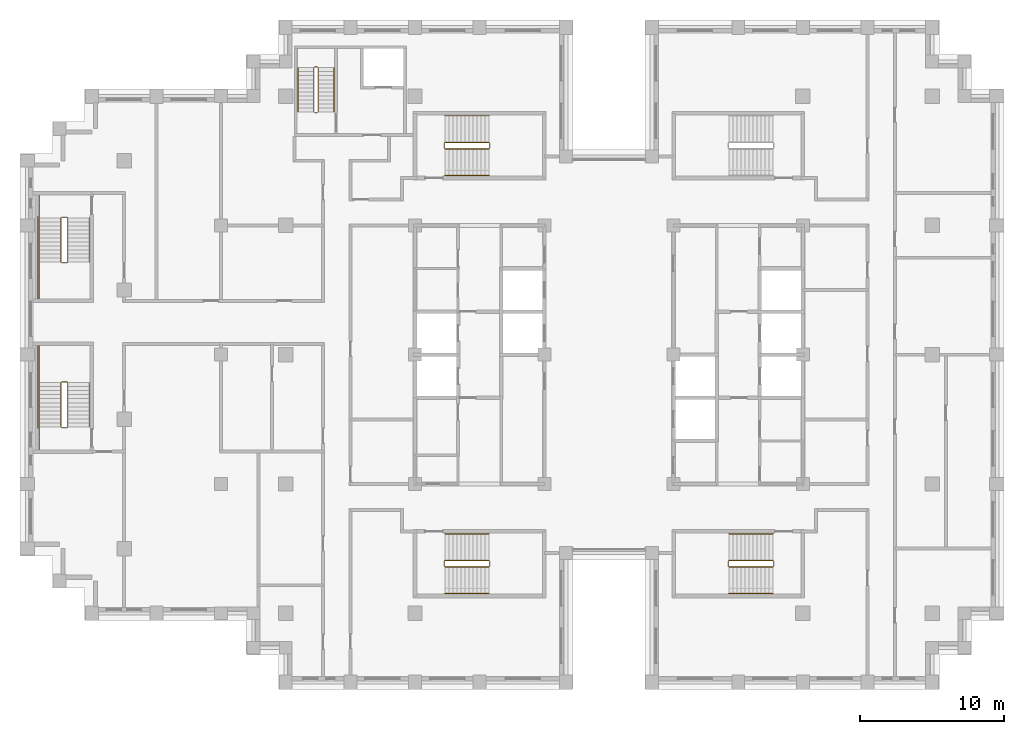
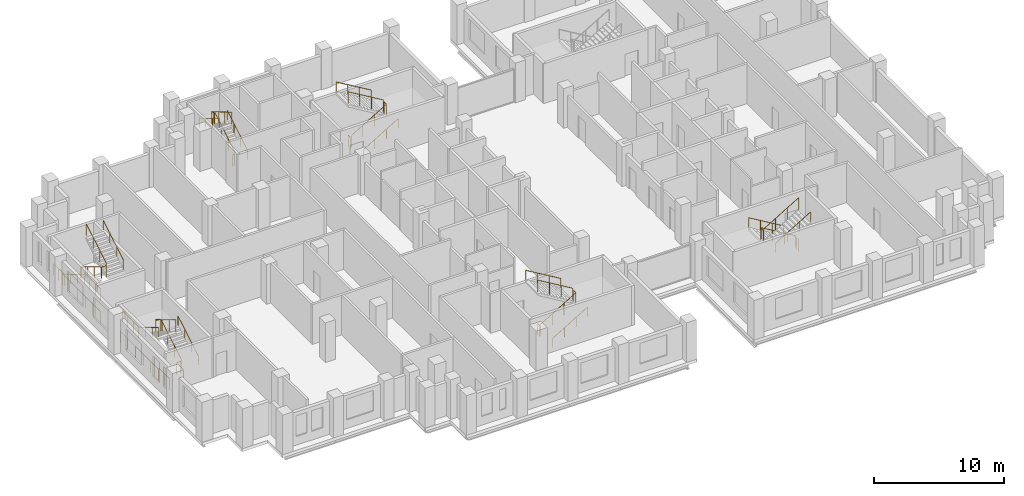
# One storey, part 14 of 15: 6 railings.
"""IFC4 building model written with IfcOpenShell, lengths in metres."""

import ifcopenshell
import ifcopenshell.guid

model = None  # the IFC model being written
_history = None  # IfcOwnerHistory: only IFC2X3 demands one
_inside = {}  # id of a spatial element -> (the spatial element, [elements in it])
_under = {}  # id of a project, library or spatial element -> (it, [spatial elements below it])
_declared = {}  # id of a project -> (the project, [libraries it declares])
_typed = {}  # id of a type object -> (the type object, [elements of that type])
_made_of = {}  # id of a material, layer set ... -> (it, [elements and type objects made of it])


def new_model(schema):
    """Start an empty IFC model of exactly this schema.

    Asked for "IFC4X3", IfcOpenShell would pick the latest addendum, in which some entities
    have other attributes; the version numbers below select the first issue.
    IFC2X3 requires an IfcOwnerHistory on every rooted entity: one is made here for all.
    """
    global model, _history
    if schema == "IFC4X3":
        model = ifcopenshell.file(schema_version=(4, 3, 0, 0))
    else:
        model = ifcopenshell.file(schema=schema)
    _inside.clear()
    _under.clear()
    _declared.clear()
    _typed.clear()
    _made_of.clear()
    _history = None
    if model.schema == "IFC2X3":
        org = make("IfcOrganization", Name="unknown")
        user = make(
            "IfcPersonAndOrganization",
            ThePerson=make("IfcPerson", FamilyName="unknown"),
            TheOrganization=org,
        )
        app = make(
            "IfcApplication",
            ApplicationDeveloper=org,
            Version="unknown",
            ApplicationFullName="unknown",
            ApplicationIdentifier="unknown",
        )
        _history = make(
            "IfcOwnerHistory",
            OwningUser=user,
            OwningApplication=app,
            ChangeAction="ADDED",
            CreationDate=0,
        )
    return model


def make(cls, **values):
    """One entity of the class cls with the attributes given. An attribute that is None is left unset."""
    return model.create_entity(
        cls, **{name: value for name, value in values.items() if value is not None}
    )


def rooted(cls, **values):
    """An entity with a GlobalId (a new one), such as an element, a storey or a relation."""
    return make(cls, GlobalId=ifcopenshell.guid.new(), OwnerHistory=_history, **values)


def si_unit(unit_type, name, prefix=None):
    """IfcSIUnit, for example si_unit("LENGTHUNIT", "METRE", prefix="MILLI")."""
    return make("IfcSIUnit", UnitType=unit_type, Prefix=prefix, Name=name)


def assignment(units):
    """IfcUnitAssignment: the units of a project."""
    return None if units is None else make("IfcUnitAssignment", Units=units)


def point(xyz):
    """IfcCartesianPoint."""
    return None if xyz is None else make("IfcCartesianPoint", Coordinates=xyz)


def direction(xyz):
    """IfcDirection."""
    return None if xyz is None else make("IfcDirection", DirectionRatios=xyz)


def frame(location, z_axis=None, x_axis=None):
    """IfcAxis2Placement3D, a coordinate frame: its origin and axes. An axis left out is left unset."""
    return make(
        "IfcAxis2Placement3D",
        Location=point(location),
        Axis=direction(z_axis),
        RefDirection=direction(x_axis),
    )


def frame_2d(location, x_axis=None):
    """IfcAxis2Placement2D, a coordinate frame in the plane: its origin and x axis."""
    return make(
        "IfcAxis2Placement2D", Location=point(location), RefDirection=direction(x_axis)
    )


def origin():
    """The frame at (0, 0, 0) with its axes left unset."""
    return frame((0.0, 0.0, 0.0))


def origin_2d():
    """The frame at (0, 0) in the plane with its x axis left unset."""
    return frame_2d((0.0, 0.0))


def place(relative_to, where):
    """IfcLocalPlacement: puts the frame where relative to a parent placement (None: the world)."""
    return make(
        "IfcLocalPlacement", PlacementRelTo=relative_to, RelativePlacement=where
    )


def context(
    kind, dimensions, precision=None, world=None, true_north=None, identifier=None
):
    """IfcGeometricRepresentationContext, for example the 3D "Model" context."""
    return make(
        "IfcGeometricRepresentationContext",
        ContextIdentifier=identifier,
        ContextType=kind,
        CoordinateSpaceDimension=dimensions,
        Precision=precision,
        WorldCoordinateSystem=world,
        TrueNorth=true_north,
    )


def subcontext(parent, identifier, kind, view, scale=None):
    """IfcGeometricRepresentationSubContext, for example "Body" below "Model"."""
    return make(
        "IfcGeometricRepresentationSubContext",
        ContextIdentifier=identifier,
        ContextType=kind,
        ParentContext=parent,
        TargetScale=scale,
        TargetView=view,
    )


def project(units=None, contexts=None):
    """IfcProject with its units and contexts."""
    return rooted(
        "IfcProject",
        Name="project",
        RepresentationContexts=contexts,
        UnitsInContext=assignment(units),
    )


def spatial(cls, under=None, at=None, **own):
    """A site, building, storey or space (cls), placed at a placement, below another one or the project."""
    s = rooted(cls, ObjectPlacement=at, **own)
    if under is not None:
        _under.setdefault(under.id(), (under, []))[1].append(s)
    return s


def profile(cls, at=None, kind="AREA", **sizes):
    """A parametric profile (cls). Its sizes go by their IFC names, for example OverallWidth=200.0."""
    return make(cls, ProfileType=kind, Position=at, **sizes)


def circle(**sizes):
    """IfcCircleProfileDef."""
    return profile("IfcCircleProfileDef", **sizes)


def extrude(swept, where, along, depth):
    """IfcExtrudedAreaSolid: the profile swept, set in the frame where, extruded along a direction by depth."""
    return make(
        "IfcExtrudedAreaSolid",
        SweptArea=swept,
        Position=where,
        ExtrudedDirection=direction(along),
        Depth=depth,
    )


def shape(context_of_items, identifier, shape_type, items):
    """IfcShapeRepresentation: the items that make up one representation, for example the "Body"."""
    return make(
        "IfcShapeRepresentation",
        ContextOfItems=context_of_items,
        RepresentationIdentifier=identifier,
        RepresentationType=shape_type,
        Items=items,
    )


def material(Name=None, Category=None):
    """IfcMaterial."""
    return make("IfcMaterial", Name=Name, Category=Category)


def made_of(thing, what):
    """Note that an element or type object is made of a material, layer set ...; save() writes the relation."""
    if what is not None:
        _made_of.setdefault(what.id(), (what, []))[1].append(thing)
    return thing


def type_object(cls, material=None, **own):
    """A type object (cls), such as IfcWallType, which elements share."""
    return made_of(rooted(cls, **own), material)


def element(
    cls,
    number,
    at=None,
    inside=None,
    cuts=None,
    type_object=None,
    material=None,
    context=None,
    identifier="Body",
    shape_type=None,
    held_by="IfcProductDefinitionShape",
    body=None,
    shapes=None,
    **own,
):
    """One element of the class cls, such as IfcWall. Its Tag is "e" and its number.

    at: its placement. inside: the storey or other place that contains it. cuts: it is an
    opening in that element (IfcRelVoidsElement). A single representation is given by context,
    identifier, shape_type and body (its items); several are given by shapes. held_by: the class
    of the entity that holds the representations. save() writes the other relations.
    """
    e = rooted(cls, Tag="e%d" % number, ObjectPlacement=at, **own)
    if body is not None:
        shapes = [shape(context, identifier, shape_type, body)]
    if shapes is not None:
        e.Representation = make(held_by, Representations=shapes)
    if inside is not None:
        _inside.setdefault(inside.id(), (inside, []))[1].append(e)
    if cuts is not None:
        rooted(
            "IfcRelVoidsElement", RelatingBuildingElement=cuts, RelatedOpeningElement=e
        )
    if type_object is not None:
        _typed.setdefault(type_object.id(), (type_object, []))[1].append(e)
    return made_of(e, material)


def aggregate(whole, parts):
    """IfcRelAggregates: a whole, such as a stair, and the parts it consists of."""
    return rooted("IfcRelAggregates", RelatingObject=whole, RelatedObjects=parts)


def save(model, path):
    """Write the relations noted so far, then the file.

    IfcRelAggregates (storeys below a building ...), IfcRelContainedInSpatialStructure (elements
    in a storey), IfcRelDefinesByType, IfcRelAssociatesMaterial and IfcRelDeclares: one each for
    every whole, place, type object, material and project.
    """
    for whole, parts in _under.values():
        aggregate(whole, parts)
    for where, things in _inside.values():
        rooted(
            "IfcRelContainedInSpatialStructure",
            RelatedElements=things,
            RelatingStructure=where,
        )
    for kind, things in _typed.values():
        rooted("IfcRelDefinesByType", RelatedObjects=things, RelatingType=kind)
    for what, things in _made_of.values():
        rooted("IfcRelAssociatesMaterial", RelatedObjects=things, RelatingMaterial=what)
    for by, libraries in _declared.values():
        rooted("IfcRelDeclares", RelatingContext=by, RelatedDefinitions=libraries)
    model.write(path)


model = new_model("IFC4")

# Units and contexts
model_context = context("Model", 3, precision=1e-05, world=origin(), true_north=direction((0.0, 1.0)))
body_context = subcontext(model_context, "Body", "Model", "MODEL_VIEW")
ifc_project = project(units=[si_unit("LENGTHUNIT", "METRE"), si_unit("AREAUNIT", "SQUARE_METRE"), si_unit("VOLUMEUNIT", "CUBIC_METRE"), si_unit("PLANEANGLEUNIT", "RADIAN"), si_unit("MASSUNIT", "GRAM", prefix="KILO")], contexts=[model_context])

# Site, building, storey
site_placement = place(None, origin())
site = spatial("IfcSite", under=ifc_project, at=site_placement, CompositionType="ELEMENT")
building_placement = place(site_placement, origin())
building = spatial("IfcBuilding", under=site, at=building_placement, Name="Corbelhall Arena Tower", CompositionType="ELEMENT")
storey_placement = place(building_placement, frame((0.0, 0.0, 188.0)))
storey = spatial("IfcBuildingStorey", under=building, at=storey_placement, Name="L38", CompositionType="ELEMENT", Elevation=188.0)

# Railings
ifc_material = material(Name="Steel ASTM A500 Gr C", Category="steel")
railing_type = type_object("IfcRailingType", Name="IN-GD-1100", PredefinedType="GUARDRAIL", material=ifc_material)
railing_1_placement = place(storey_placement, frame((-11.425048828125, 14.324951171875, 0.166748046875)))
element("IfcRailing", 1, at=railing_1_placement, inside=storey, type_object=railing_type, Name="L38 ST1 stair guards and handrails", PredefinedType="GUARDRAIL", context=body_context, shape_type="SweptSolid", body=[
    extrude(circle(Radius=0.02392578125, at=origin_2d()), frame((0.0, 0.0, 1.076171875), z_axis=(0.859308565015, 0.0, 0.511457515432), x_axis=(0.0, 1.0, 0.0)), (0.0, 0.0, 1.0), 3.58447265625),
    extrude(circle(Radius=0.02392578125, at=origin_2d()), frame((3.130126953125, 0.050048828125, 2.9091796875), z_axis=(0.0, 1.0, 0.0), x_axis=(-1.0, 0.0, 0.0)), (0.0, 0.0, 1.0), 0.35009765625),
    extrude(circle(Radius=0.02392578125, at=origin_2d()), frame((3.080078125, 0.449951171875, 3.076171875), z_axis=(-0.859308565015, 0.0, 0.511457515432), x_axis=(0.0, -1.0, 0.0)), (0.0, 0.0, 1.0), 3.58447265625),
    extrude(circle(Radius=0.02392578125, at=origin_2d()), frame((-0.050048828125, 0.050048828125, 0.9091796875), z_axis=(0.0, 1.0, 0.0), x_axis=(-1.0, 0.0, 0.0)), (0.0, 0.0, 1.0), 0.35009765625),
    extrude(circle(Radius=0.02392578125, at=origin_2d()), frame((0.0, -1.849853515625, 0.8759765625), z_axis=(0.859308565015, 0.0, 0.511457515432), x_axis=(0.0, 1.0, 0.0)), (0.0, 0.0, 1.0), 3.58447265625),
    extrude(circle(Radius=0.02392578125, at=origin_2d()), frame((3.080078125, 2.300048828125, 2.8759765625), z_axis=(-0.859308565015, 0.0, 0.511457515432), x_axis=(0.0, -1.0, 0.0)), (0.0, 0.0, 1.0), 3.58447265625),
    extrude(circle(Radius=0.02099609375, at=origin_2d()), origin(), (0.0, 0.0, 1.0), 1.052001953125),
    extrude(circle(Radius=0.02099609375, at=origin_2d()), frame((1.026611328125, 0.0, 0.611083984375)), (0.0, 0.0, 1.0), 1.052001953125),
    extrude(circle(Radius=0.02099609375, at=origin_2d()), frame((2.053466796875, 0.0, 1.22216796875)), (0.0, 0.0, 1.0), 1.052001953125),
    extrude(circle(Radius=0.02099609375, at=origin_2d()), frame((3.080078125, 0.0, 1.833251953125)), (0.0, 0.0, 1.0), 1.052001953125),
    extrude(circle(Radius=0.02099609375, at=origin_2d()), frame((3.130126953125, 0.050048828125, 1.833251953125)), (0.0, 0.0, 1.0), 1.052001953125),
    extrude(circle(Radius=0.02099609375, at=origin_2d()), frame((3.130126953125, 0.400146484375, 1.833251953125)), (0.0, 0.0, 1.0), 1.052001953125),
    extrude(circle(Radius=0.02099609375, at=origin_2d()), frame((3.080078125, 0.449951171875, 2.0)), (0.0, 0.0, 1.0), 1.052001953125),
    extrude(circle(Radius=0.02099609375, at=origin_2d()), frame((2.053466796875, 0.449951171875, 2.611083984375)), (0.0, 0.0, 1.0), 1.052001953125),
    extrude(circle(Radius=0.02099609375, at=origin_2d()), frame((1.026611328125, 0.449951171875, 3.22216796875)), (0.0, 0.0, 1.0), 1.052001953125),
    extrude(circle(Radius=0.02099609375, at=origin_2d()), frame((0.0, 0.449951171875, 3.833251953125)), (0.0, 0.0, 1.0), 1.052001953125),
    extrude(circle(Radius=0.02099609375, at=origin_2d()), frame((-0.050048828125, 0.050048828125, -0.166748046875)), (0.0, 0.0, 1.0), 1.052001953125),
    extrude(circle(Radius=0.02099609375, at=origin_2d()), frame((-0.050048828125, 0.400146484375, -0.166748046875)), (0.0, 0.0, 1.0), 1.052001953125),
    extrude(circle(Radius=0.02099609375, at=origin_2d()), frame((0.0, -1.849853515625, 0.0)), (0.0, 0.0, 1.0), 0.851806640625),
    extrude(circle(Radius=0.02099609375, at=origin_2d()), frame((1.026611328125, -1.849853515625, 0.611083984375)), (0.0, 0.0, 1.0), 0.851806640625),
    extrude(circle(Radius=0.02099609375, at=origin_2d()), frame((2.053466796875, -1.849853515625, 1.22216796875)), (0.0, 0.0, 1.0), 0.851806640625),
    extrude(circle(Radius=0.02099609375, at=origin_2d()), frame((3.080078125, -1.849853515625, 1.833251953125)), (0.0, 0.0, 1.0), 0.851806640625),
    extrude(circle(Radius=0.02099609375, at=origin_2d()), frame((3.080078125, 2.300048828125, 2.0)), (0.0, 0.0, 1.0), 0.851806640625),
    extrude(circle(Radius=0.02099609375, at=origin_2d()), frame((2.053466796875, 2.300048828125, 2.611083984375)), (0.0, 0.0, 1.0), 0.851806640625),
    extrude(circle(Radius=0.02099609375, at=origin_2d()), frame((1.026611328125, 2.300048828125, 3.22216796875)), (0.0, 0.0, 1.0), 0.851806640625),
    extrude(circle(Radius=0.02099609375, at=origin_2d()), frame((0.0, 2.300048828125, 3.833251953125)), (0.0, 0.0, 1.0), 0.851806640625),
])
railing_2_placement = place(storey_placement, frame((-11.425048828125, -14.77490234375, 0.166748046875)))
element("IfcRailing", 2, at=railing_2_placement, inside=storey, type_object=railing_type, Name="L38 ST2 stair guards and handrails", PredefinedType="GUARDRAIL", context=body_context, shape_type="SweptSolid", body=[
    extrude(circle(Radius=0.02392578125, at=origin_2d()), frame((0.0, 0.0, 1.076171875), z_axis=(0.859308565015, 0.0, 0.511457515432), x_axis=(0.0, 1.0, 0.0)), (0.0, 0.0, 1.0), 3.58447265625),
    extrude(circle(Radius=0.02392578125, at=origin_2d()), frame((3.130126953125, 0.0498046875, 2.9091796875), z_axis=(0.0, 1.0, 0.0), x_axis=(-1.0, 0.0, 0.0)), (0.0, 0.0, 1.0), 0.35009765625),
    extrude(circle(Radius=0.02392578125, at=origin_2d()), frame((3.080078125, 0.449951171875, 3.076171875), z_axis=(-0.859308565015, 0.0, 0.511457515432), x_axis=(0.0, -1.0, 0.0)), (0.0, 0.0, 1.0), 3.58447265625),
    extrude(circle(Radius=0.02392578125, at=origin_2d()), frame((-0.050048828125, 0.0498046875, 0.9091796875), z_axis=(0.0, 1.0, 0.0), x_axis=(-1.0, 0.0, 0.0)), (0.0, 0.0, 1.0), 0.35009765625),
    extrude(circle(Radius=0.02392578125, at=origin_2d()), frame((0.0, -1.85009765625, 0.8759765625), z_axis=(0.859308565015, 0.0, 0.511457515432), x_axis=(0.0, 1.0, 0.0)), (0.0, 0.0, 1.0), 3.58447265625),
    extrude(circle(Radius=0.02392578125, at=origin_2d()), frame((3.080078125, 2.2998046875, 2.8759765625), z_axis=(-0.859308565015, 0.0, 0.511457515432), x_axis=(0.0, -1.0, 0.0)), (0.0, 0.0, 1.0), 3.58447265625),
    extrude(circle(Radius=0.02099609375, at=origin_2d()), origin(), (0.0, 0.0, 1.0), 1.052001953125),
    extrude(circle(Radius=0.02099609375, at=origin_2d()), frame((1.026611328125, 0.0, 0.611083984375)), (0.0, 0.0, 1.0), 1.052001953125),
    extrude(circle(Radius=0.02099609375, at=origin_2d()), frame((2.053466796875, 0.0, 1.22216796875)), (0.0, 0.0, 1.0), 1.052001953125),
    extrude(circle(Radius=0.02099609375, at=origin_2d()), frame((3.080078125, 0.0, 1.833251953125)), (0.0, 0.0, 1.0), 1.052001953125),
    extrude(circle(Radius=0.02099609375, at=origin_2d()), frame((3.130126953125, 0.0498046875, 1.833251953125)), (0.0, 0.0, 1.0), 1.052001953125),
    extrude(circle(Radius=0.02099609375, at=origin_2d()), frame((3.130126953125, 0.39990234375, 1.833251953125)), (0.0, 0.0, 1.0), 1.052001953125),
    extrude(circle(Radius=0.02099609375, at=origin_2d()), frame((3.080078125, 0.449951171875, 2.0)), (0.0, 0.0, 1.0), 1.052001953125),
    extrude(circle(Radius=0.02099609375, at=origin_2d()), frame((2.053466796875, 0.449951171875, 2.611083984375)), (0.0, 0.0, 1.0), 1.052001953125),
    extrude(circle(Radius=0.02099609375, at=origin_2d()), frame((1.026611328125, 0.449951171875, 3.22216796875)), (0.0, 0.0, 1.0), 1.052001953125),
    extrude(circle(Radius=0.02099609375, at=origin_2d()), frame((0.0, 0.449951171875, 3.833251953125)), (0.0, 0.0, 1.0), 1.052001953125),
    extrude(circle(Radius=0.02099609375, at=origin_2d()), frame((-0.050048828125, 0.0498046875, -0.166748046875)), (0.0, 0.0, 1.0), 1.052001953125),
    extrude(circle(Radius=0.02099609375, at=origin_2d()), frame((-0.050048828125, 0.39990234375, -0.166748046875)), (0.0, 0.0, 1.0), 1.052001953125),
    extrude(circle(Radius=0.02099609375, at=origin_2d()), frame((0.0, -1.85009765625, 0.0)), (0.0, 0.0, 1.0), 0.851806640625),
    extrude(circle(Radius=0.02099609375, at=origin_2d()), frame((1.026611328125, -1.85009765625, 0.611083984375)), (0.0, 0.0, 1.0), 0.851806640625),
    extrude(circle(Radius=0.02099609375, at=origin_2d()), frame((2.053466796875, -1.85009765625, 1.22216796875)), (0.0, 0.0, 1.0), 0.851806640625),
    extrude(circle(Radius=0.02099609375, at=origin_2d()), frame((3.080078125, -1.85009765625, 1.833251953125)), (0.0, 0.0, 1.0), 0.851806640625),
    extrude(circle(Radius=0.02099609375, at=origin_2d()), frame((3.080078125, 2.2998046875, 2.0)), (0.0, 0.0, 1.0), 0.851806640625),
    extrude(circle(Radius=0.02099609375, at=origin_2d()), frame((2.053466796875, 2.2998046875, 2.611083984375)), (0.0, 0.0, 1.0), 0.851806640625),
    extrude(circle(Radius=0.02099609375, at=origin_2d()), frame((1.026611328125, 2.2998046875, 3.22216796875)), (0.0, 0.0, 1.0), 0.851806640625),
    extrude(circle(Radius=0.02099609375, at=origin_2d()), frame((0.0, 2.2998046875, 3.833251953125)), (0.0, 0.0, 1.0), 0.851806640625),
])
railing_3_placement = place(storey_placement, frame((11.425048828125, -14.324951171875, 0.166748046875)))
element("IfcRailing", 3, at=railing_3_placement, inside=storey, type_object=railing_type, Name="L38 ST4 stair guards and handrails", PredefinedType="GUARDRAIL", context=body_context, shape_type="SweptSolid", body=[
    extrude(circle(Radius=0.02392578125, at=origin_2d()), frame((0.0, 0.0, 1.076171875), z_axis=(-0.859308565015, 0.0, 0.511457515432), x_axis=(0.0, -1.0, 0.0)), (0.0, 0.0, 1.0), 3.58447265625),
    extrude(circle(Radius=0.02392578125, at=origin_2d()), frame((-3.130126953125, -0.050048828125, 2.9091796875), z_axis=(0.0, -1.0, 0.0), x_axis=(1.0, 0.0, 0.0)), (0.0, 0.0, 1.0), 0.35009765625),
    extrude(circle(Radius=0.02392578125, at=origin_2d()), frame((-3.080078125, -0.449951171875, 3.076171875), z_axis=(0.859308565015, 0.0, 0.511457515432), x_axis=(0.0, 1.0, 0.0)), (0.0, 0.0, 1.0), 3.58447265625),
    extrude(circle(Radius=0.02392578125, at=origin_2d()), frame((0.050048828125, -0.050048828125, 0.9091796875), z_axis=(0.0, -1.0, 0.0), x_axis=(1.0, 0.0, 0.0)), (0.0, 0.0, 1.0), 0.35009765625),
    extrude(circle(Radius=0.02392578125, at=origin_2d()), frame((0.0, 1.849853515625, 0.8759765625), z_axis=(-0.859308565015, 0.0, 0.511457515432), x_axis=(0.0, -1.0, 0.0)), (0.0, 0.0, 1.0), 3.58447265625),
    extrude(circle(Radius=0.02392578125, at=origin_2d()), frame((-3.080078125, -2.300048828125, 2.8759765625), z_axis=(0.859308565015, 0.0, 0.511457515432), x_axis=(0.0, 1.0, 0.0)), (0.0, 0.0, 1.0), 3.58447265625),
    extrude(circle(Radius=0.02099609375, at=origin_2d()), origin(), (0.0, 0.0, 1.0), 1.052001953125),
    extrude(circle(Radius=0.02099609375, at=origin_2d()), frame((-1.026611328125, 0.0, 0.611083984375)), (0.0, 0.0, 1.0), 1.052001953125),
    extrude(circle(Radius=0.02099609375, at=origin_2d()), frame((-2.053466796875, 0.0, 1.22216796875)), (0.0, 0.0, 1.0), 1.052001953125),
    extrude(circle(Radius=0.02099609375, at=origin_2d()), frame((-3.080078125, 0.0, 1.833251953125)), (0.0, 0.0, 1.0), 1.052001953125),
    extrude(circle(Radius=0.02099609375, at=origin_2d()), frame((-3.130126953125, -0.050048828125, 1.833251953125)), (0.0, 0.0, 1.0), 1.052001953125),
    extrude(circle(Radius=0.02099609375, at=origin_2d()), frame((-3.130126953125, -0.400146484375, 1.833251953125)), (0.0, 0.0, 1.0), 1.052001953125),
    extrude(circle(Radius=0.02099609375, at=origin_2d()), frame((-3.080078125, -0.449951171875, 2.0)), (0.0, 0.0, 1.0), 1.052001953125),
    extrude(circle(Radius=0.02099609375, at=origin_2d()), frame((-2.053466796875, -0.449951171875, 2.611083984375)), (0.0, 0.0, 1.0), 1.052001953125),
    extrude(circle(Radius=0.02099609375, at=origin_2d()), frame((-1.026611328125, -0.449951171875, 3.22216796875)), (0.0, 0.0, 1.0), 1.052001953125),
    extrude(circle(Radius=0.02099609375, at=origin_2d()), frame((0.0, -0.449951171875, 3.833251953125)), (0.0, 0.0, 1.0), 1.052001953125),
    extrude(circle(Radius=0.02099609375, at=origin_2d()), frame((0.050048828125, -0.050048828125, -0.166748046875)), (0.0, 0.0, 1.0), 1.052001953125),
    extrude(circle(Radius=0.02099609375, at=origin_2d()), frame((0.050048828125, -0.400146484375, -0.166748046875)), (0.0, 0.0, 1.0), 1.052001953125),
    extrude(circle(Radius=0.02099609375, at=origin_2d()), frame((0.0, 1.849853515625, 0.0)), (0.0, 0.0, 1.0), 0.851806640625),
    extrude(circle(Radius=0.02099609375, at=origin_2d()), frame((-1.026611328125, 1.849853515625, 0.611083984375)), (0.0, 0.0, 1.0), 0.851806640625),
    extrude(circle(Radius=0.02099609375, at=origin_2d()), frame((-2.053466796875, 1.849853515625, 1.22216796875)), (0.0, 0.0, 1.0), 0.851806640625),
    extrude(circle(Radius=0.02099609375, at=origin_2d()), frame((-3.080078125, 1.849853515625, 1.833251953125)), (0.0, 0.0, 1.0), 0.851806640625),
    extrude(circle(Radius=0.02099609375, at=origin_2d()), frame((-3.080078125, -2.300048828125, 2.0)), (0.0, 0.0, 1.0), 0.851806640625),
    extrude(circle(Radius=0.02099609375, at=origin_2d()), frame((-2.053466796875, -2.300048828125, 2.611083984375)), (0.0, 0.0, 1.0), 0.851806640625),
    extrude(circle(Radius=0.02099609375, at=origin_2d()), frame((-1.026611328125, -2.300048828125, 3.22216796875)), (0.0, 0.0, 1.0), 0.851806640625),
    extrude(circle(Radius=0.02099609375, at=origin_2d()), frame((0.0, -2.300048828125, 3.833251953125)), (0.0, 0.0, 1.0), 0.851806640625),
])
railing_4_placement = place(storey_placement, frame((-38.14990234375, 9.52490234375, 0.166748046875)))
element("IfcRailing", 4, at=railing_4_placement, inside=storey, type_object=railing_type, Name="L38 SC1 stair guards and handrails", PredefinedType="GUARDRAIL", context=body_context, shape_type="SweptSolid", body=[
    extrude(circle(Radius=0.02392578125, at=origin_2d()), frame((0.0, 0.0, 1.076171875), z_axis=(0.0, -0.859290745958, 0.51148745235), x_axis=(1.0, 0.0, 0.0)), (0.0, 0.0, 1.0), 3.584228515625),
    extrude(circle(Radius=0.02392578125, at=origin_2d()), frame((0.0498046875, -3.1298828125, 2.9091796875), z_axis=(1.0, 0.0, 0.0), x_axis=(0.0, 1.0, 0.0)), (0.0, 0.0, 1.0), 0.375),
    extrude(circle(Radius=0.02392578125, at=origin_2d()), frame((-1.5, -3.079833984375, 2.9091796875), z_axis=(0.0, -1.0, 0.0), x_axis=(1.0, 0.0, 0.0)), (0.0, 0.0, 1.0), 2.570068359375),
    extrude(circle(Radius=0.02392578125, at=origin_2d()), frame((0.474853515625, -3.079833984375, 3.076171875), z_axis=(0.0, 0.859290745958, 0.51148745235), x_axis=(-1.0, 0.0, 0.0)), (0.0, 0.0, 1.0), 3.584228515625),
    extrude(circle(Radius=0.02392578125, at=origin_2d()), frame((0.0498046875, 0.050048828125, 0.9091796875), z_axis=(1.0, 0.0, 0.0), x_axis=(0.0, 1.0, 0.0)), (0.0, 0.0, 1.0), 0.375),
    extrude(circle(Radius=0.02392578125, at=origin_2d()), frame((-1.5, 1.60009765625, 0.9091796875), z_axis=(0.0, -1.0, 0.0), x_axis=(1.0, 0.0, 0.0)), (0.0, 0.0, 1.0), 1.60009765625),
    extrude(circle(Radius=0.02392578125, at=origin_2d()), frame((-1.60009765625, 0.10009765625, 0.9091796875), z_axis=(0.0, -1.0, 0.0), x_axis=(1.0, 0.0, 0.0)), (0.0, 0.0, 1.0), 5.85009765625),
    extrude(circle(Radius=0.02392578125, at=origin_2d()), frame((-1.5, 0.0, 0.8759765625), z_axis=(0.0, -0.859290745958, 0.51148745235), x_axis=(1.0, 0.0, 0.0)), (0.0, 0.0, 1.0), 3.584228515625),
    extrude(circle(Radius=0.02392578125, at=origin_2d()), frame((1.974853515625, -3.079833984375, 2.8759765625), z_axis=(0.0, 0.859290745958, 0.51148745235), x_axis=(-1.0, 0.0, 0.0)), (0.0, 0.0, 1.0), 3.584228515625),
    extrude(circle(Radius=0.02099609375, at=origin_2d()), origin(), (0.0, 0.0, 1.0), 1.052001953125),
    extrude(circle(Radius=0.02099609375, at=origin_2d()), frame((0.0, -1.026611328125, 0.611083984375)), (0.0, 0.0, 1.0), 1.052001953125),
    extrude(circle(Radius=0.02099609375, at=origin_2d()), frame((0.0, -2.05322265625, 1.22216796875)), (0.0, 0.0, 1.0), 1.052001953125),
    extrude(circle(Radius=0.02099609375, at=origin_2d()), frame((0.0, -3.079833984375, 1.833251953125)), (0.0, 0.0, 1.0), 1.052001953125),
    extrude(circle(Radius=0.02099609375, at=origin_2d()), frame((0.0498046875, -3.1298828125, 1.833251953125)), (0.0, 0.0, 1.0), 1.052001953125),
    extrude(circle(Radius=0.02099609375, at=origin_2d()), frame((0.4248046875, -3.1298828125, 1.833251953125)), (0.0, 0.0, 1.0), 1.052001953125),
    extrude(circle(Radius=0.02099609375, at=origin_2d()), frame((-1.5, -3.079833984375, 1.833251953125)), (0.0, 0.0, 1.0), 1.052001953125),
    extrude(circle(Radius=0.02099609375, at=origin_2d()), frame((-1.5, -3.9365234375, 1.833251953125)), (0.0, 0.0, 1.0), 1.052001953125),
    extrude(circle(Radius=0.02099609375, at=origin_2d()), frame((-1.5, -4.793212890625, 1.833251953125)), (0.0, 0.0, 1.0), 1.052001953125),
    extrude(circle(Radius=0.02099609375, at=origin_2d()), frame((-1.5, -5.64990234375, 1.833251953125)), (0.0, 0.0, 1.0), 1.052001953125),
    extrude(circle(Radius=0.02099609375, at=origin_2d()), frame((0.474853515625, -3.079833984375, 2.0)), (0.0, 0.0, 1.0), 1.052001953125),
    extrude(circle(Radius=0.02099609375, at=origin_2d()), frame((0.474853515625, -2.05322265625, 2.611083984375)), (0.0, 0.0, 1.0), 1.052001953125),
    extrude(circle(Radius=0.02099609375, at=origin_2d()), frame((0.474853515625, -1.026611328125, 3.22216796875)), (0.0, 0.0, 1.0), 1.052001953125),
    extrude(circle(Radius=0.02099609375, at=origin_2d()), frame((0.474853515625, 0.0, 3.833251953125)), (0.0, 0.0, 1.0), 1.052001953125),
    extrude(circle(Radius=0.02099609375, at=origin_2d()), frame((0.0498046875, 0.050048828125, -0.166748046875)), (0.0, 0.0, 1.0), 1.052001953125),
    extrude(circle(Radius=0.02099609375, at=origin_2d()), frame((0.4248046875, 0.050048828125, -0.166748046875)), (0.0, 0.0, 1.0), 1.052001953125),
    extrude(circle(Radius=0.02099609375, at=origin_2d()), frame((-1.5, 1.60009765625, -0.166748046875)), (0.0, 0.0, 1.0), 1.052001953125),
    extrude(circle(Radius=0.02099609375, at=origin_2d()), frame((-1.5, 0.800048828125, -0.166748046875)), (0.0, 0.0, 1.0), 1.052001953125),
    extrude(circle(Radius=0.02099609375, at=origin_2d()), frame((-1.5, 0.0, -0.166748046875)), (0.0, 0.0, 1.0), 1.052001953125),
    extrude(circle(Radius=0.02099609375, at=origin_2d()), frame((-1.60009765625, 0.10009765625, -0.166748046875)), (0.0, 0.0, 1.0), 1.052001953125),
    extrude(circle(Radius=0.02099609375, at=origin_2d()), frame((-1.60009765625, -1.06982421875, -0.166748046875)), (0.0, 0.0, 1.0), 1.052001953125),
    extrude(circle(Radius=0.02099609375, at=origin_2d()), frame((-1.60009765625, -2.239990234375, -0.166748046875)), (0.0, 0.0, 1.0), 1.052001953125),
    extrude(circle(Radius=0.02099609375, at=origin_2d()), frame((-1.60009765625, -3.409912109375, -0.166748046875)), (0.0, 0.0, 1.0), 1.052001953125),
    extrude(circle(Radius=0.02099609375, at=origin_2d()), frame((-1.60009765625, -4.580078125, -0.166748046875)), (0.0, 0.0, 1.0), 1.052001953125),
    extrude(circle(Radius=0.02099609375, at=origin_2d()), frame((-1.60009765625, -5.75, -0.166748046875)), (0.0, 0.0, 1.0), 1.052001953125),
    extrude(circle(Radius=0.02099609375, at=origin_2d()), frame((-1.5, 0.0, 0.0)), (0.0, 0.0, 1.0), 0.851806640625),
    extrude(circle(Radius=0.02099609375, at=origin_2d()), frame((-1.5, -1.026611328125, 0.611083984375)), (0.0, 0.0, 1.0), 0.851806640625),
    extrude(circle(Radius=0.02099609375, at=origin_2d()), frame((-1.5, -2.05322265625, 1.22216796875)), (0.0, 0.0, 1.0), 0.851806640625),
    extrude(circle(Radius=0.02099609375, at=origin_2d()), frame((1.974853515625, -3.079833984375, 2.0)), (0.0, 0.0, 1.0), 0.851806640625),
    extrude(circle(Radius=0.02099609375, at=origin_2d()), frame((1.974853515625, -2.05322265625, 2.611083984375)), (0.0, 0.0, 1.0), 0.851806640625),
    extrude(circle(Radius=0.02099609375, at=origin_2d()), frame((1.974853515625, -1.026611328125, 3.22216796875)), (0.0, 0.0, 1.0), 0.851806640625),
    extrude(circle(Radius=0.02099609375, at=origin_2d()), frame((1.974853515625, 0.0, 3.833251953125)), (0.0, 0.0, 1.0), 0.851806640625),
])
railing_5_placement = place(storey_placement, frame((-37.675048828125, -5.02490234375, 0.166748046875)))
element("IfcRailing", 5, at=railing_5_placement, inside=storey, type_object=railing_type, Name="L38 SC2 stair guards and handrails", PredefinedType="GUARDRAIL", context=body_context, shape_type="SweptSolid", body=[
    extrude(circle(Radius=0.02392578125, at=origin_2d()), frame((0.0, 0.0, 1.076171875), z_axis=(0.0, 0.859290745958, 0.51148745235), x_axis=(-1.0, 0.0, 0.0)), (0.0, 0.0, 1.0), 3.584228515625),
    extrude(circle(Radius=0.02392578125, at=origin_2d()), frame((-0.050048828125, 3.1298828125, 2.9091796875), z_axis=(-1.0, 0.0, 0.0), x_axis=(0.0, -1.0, 0.0)), (0.0, 0.0, 1.0), 0.375),
    extrude(circle(Radius=0.02392578125, at=origin_2d()), frame((-1.974853515625, 3.079833984375, 2.9091796875), z_axis=(0.0, 1.0, 0.0), x_axis=(-1.0, 0.0, 0.0)), (0.0, 0.0, 1.0), 2.570068359375),
    extrude(circle(Radius=0.02392578125, at=origin_2d()), frame((-0.474853515625, 3.079833984375, 3.076171875), z_axis=(0.0, -0.859290745958, 0.51148745235), x_axis=(1.0, 0.0, 0.0)), (0.0, 0.0, 1.0), 3.584228515625),
    extrude(circle(Radius=0.02392578125, at=origin_2d()), frame((-0.050048828125, -0.050048828125, 0.9091796875), z_axis=(-1.0, 0.0, 0.0), x_axis=(0.0, -1.0, 0.0)), (0.0, 0.0, 1.0), 0.375),
    extrude(circle(Radius=0.02392578125, at=origin_2d()), frame((-1.974853515625, -1.60009765625, 0.9091796875), z_axis=(0.0, 1.0, 0.0), x_axis=(-1.0, 0.0, 0.0)), (0.0, 0.0, 1.0), 1.60009765625),
    extrude(circle(Radius=0.02392578125, at=origin_2d()), frame((-2.074951171875, -0.10009765625, 0.9091796875), z_axis=(0.0, 1.0, 0.0), x_axis=(-1.0, 0.0, 0.0)), (0.0, 0.0, 1.0), 5.85009765625),
    extrude(circle(Radius=0.02392578125, at=origin_2d()), frame((1.5, 0.0, 0.8759765625), z_axis=(0.0, 0.859290745958, 0.51148745235), x_axis=(-1.0, 0.0, 0.0)), (0.0, 0.0, 1.0), 3.584228515625),
    extrude(circle(Radius=0.02392578125, at=origin_2d()), frame((-1.974853515625, 3.079833984375, 2.8759765625), z_axis=(0.0, -0.859290745958, 0.51148745235), x_axis=(1.0, 0.0, 0.0)), (0.0, 0.0, 1.0), 3.584228515625),
    extrude(circle(Radius=0.02099609375, at=origin_2d()), origin(), (0.0, 0.0, 1.0), 1.052001953125),
    extrude(circle(Radius=0.02099609375, at=origin_2d()), frame((0.0, 1.026611328125, 0.611083984375)), (0.0, 0.0, 1.0), 1.052001953125),
    extrude(circle(Radius=0.02099609375, at=origin_2d()), frame((0.0, 2.05322265625, 1.22216796875)), (0.0, 0.0, 1.0), 1.052001953125),
    extrude(circle(Radius=0.02099609375, at=origin_2d()), frame((0.0, 3.079833984375, 1.833251953125)), (0.0, 0.0, 1.0), 1.052001953125),
    extrude(circle(Radius=0.02099609375, at=origin_2d()), frame((-0.050048828125, 3.1298828125, 1.833251953125)), (0.0, 0.0, 1.0), 1.052001953125),
    extrude(circle(Radius=0.02099609375, at=origin_2d()), frame((-0.425048828125, 3.1298828125, 1.833251953125)), (0.0, 0.0, 1.0), 1.052001953125),
    extrude(circle(Radius=0.02099609375, at=origin_2d()), frame((-1.974853515625, 3.079833984375, 1.833251953125)), (0.0, 0.0, 1.0), 1.052001953125),
    extrude(circle(Radius=0.02099609375, at=origin_2d()), frame((-1.974853515625, 3.9365234375, 1.833251953125)), (0.0, 0.0, 1.0), 1.052001953125),
    extrude(circle(Radius=0.02099609375, at=origin_2d()), frame((-1.974853515625, 4.793212890625, 1.833251953125)), (0.0, 0.0, 1.0), 1.052001953125),
    extrude(circle(Radius=0.02099609375, at=origin_2d()), frame((-1.974853515625, 5.64990234375, 1.833251953125)), (0.0, 0.0, 1.0), 1.052001953125),
    extrude(circle(Radius=0.02099609375, at=origin_2d()), frame((-0.474853515625, 3.079833984375, 2.0)), (0.0, 0.0, 1.0), 1.052001953125),
    extrude(circle(Radius=0.02099609375, at=origin_2d()), frame((-0.474853515625, 2.05322265625, 2.611083984375)), (0.0, 0.0, 1.0), 1.052001953125),
    extrude(circle(Radius=0.02099609375, at=origin_2d()), frame((-0.474853515625, 1.026611328125, 3.22216796875)), (0.0, 0.0, 1.0), 1.052001953125),
    extrude(circle(Radius=0.02099609375, at=origin_2d()), frame((-0.474853515625, 0.0, 3.833251953125)), (0.0, 0.0, 1.0), 1.052001953125),
    extrude(circle(Radius=0.02099609375, at=origin_2d()), frame((-0.050048828125, -0.050048828125, -0.166748046875)), (0.0, 0.0, 1.0), 1.052001953125),
    extrude(circle(Radius=0.02099609375, at=origin_2d()), frame((-0.425048828125, -0.050048828125, -0.166748046875)), (0.0, 0.0, 1.0), 1.052001953125),
    extrude(circle(Radius=0.02099609375, at=origin_2d()), frame((-1.974853515625, -1.60009765625, -0.166748046875)), (0.0, 0.0, 1.0), 1.052001953125),
    extrude(circle(Radius=0.02099609375, at=origin_2d()), frame((-1.974853515625, -0.800048828125, -0.166748046875)), (0.0, 0.0, 1.0), 1.052001953125),
    extrude(circle(Radius=0.02099609375, at=origin_2d()), frame((-1.974853515625, 0.0, -0.166748046875)), (0.0, 0.0, 1.0), 1.052001953125),
    extrude(circle(Radius=0.02099609375, at=origin_2d()), frame((-2.074951171875, -0.10009765625, -0.166748046875)), (0.0, 0.0, 1.0), 1.052001953125),
    extrude(circle(Radius=0.02099609375, at=origin_2d()), frame((-2.074951171875, 1.06982421875, -0.166748046875)), (0.0, 0.0, 1.0), 1.052001953125),
    extrude(circle(Radius=0.02099609375, at=origin_2d()), frame((-2.074951171875, 2.239990234375, -0.166748046875)), (0.0, 0.0, 1.0), 1.052001953125),
    extrude(circle(Radius=0.02099609375, at=origin_2d()), frame((-2.074951171875, 3.409912109375, -0.166748046875)), (0.0, 0.0, 1.0), 1.052001953125),
    extrude(circle(Radius=0.02099609375, at=origin_2d()), frame((-2.074951171875, 4.580078125, -0.166748046875)), (0.0, 0.0, 1.0), 1.052001953125),
    extrude(circle(Radius=0.02099609375, at=origin_2d()), frame((-2.074951171875, 5.75, -0.166748046875)), (0.0, 0.0, 1.0), 1.052001953125),
    extrude(circle(Radius=0.02099609375, at=origin_2d()), frame((1.5, 0.0, 0.0)), (0.0, 0.0, 1.0), 0.851806640625),
    extrude(circle(Radius=0.02099609375, at=origin_2d()), frame((1.5, 1.026611328125, 0.611083984375)), (0.0, 0.0, 1.0), 0.851806640625),
    extrude(circle(Radius=0.02099609375, at=origin_2d()), frame((1.5, 2.05322265625, 1.22216796875)), (0.0, 0.0, 1.0), 0.851806640625),
    extrude(circle(Radius=0.02099609375, at=origin_2d()), frame((1.5, 3.079833984375, 1.833251953125)), (0.0, 0.0, 1.0), 0.851806640625),
    extrude(circle(Radius=0.02099609375, at=origin_2d()), frame((-1.974853515625, 3.079833984375, 2.0)), (0.0, 0.0, 1.0), 0.851806640625),
    extrude(circle(Radius=0.02099609375, at=origin_2d()), frame((-1.974853515625, 2.05322265625, 2.611083984375)), (0.0, 0.0, 1.0), 0.851806640625),
    extrude(circle(Radius=0.02099609375, at=origin_2d()), frame((-1.974853515625, 1.026611328125, 3.22216796875)), (0.0, 0.0, 1.0), 0.851806640625),
    extrude(circle(Radius=0.02099609375, at=origin_2d()), frame((-1.974853515625, 0.0, 3.833251953125)), (0.0, 0.0, 1.0), 0.851806640625),
])
railing_6_placement = place(storey_placement, frame((-20.2451171875, 16.89990234375, 0.166748046875)))
element("IfcRailing", 6, at=railing_6_placement, inside=storey, type_object=railing_type, Name="L38 ST5 stair guards and handrails", PredefinedType="GUARDRAIL", context=body_context, shape_type="SweptSolid", body=[
    extrude(circle(Radius=0.02392578125, at=origin_2d()), frame((0.0, 0.0, 1.076171875), z_axis=(0.0, 0.859308565015, 0.511457515432), x_axis=(-1.0, 0.0, 0.0)), (0.0, 0.0, 1.0), 3.58447265625),
    extrude(circle(Radius=0.02392578125, at=origin_2d()), frame((-0.0498046875, 3.130126953125, 2.9091796875), z_axis=(-1.0, 0.0, 0.0), x_axis=(0.0, -1.0, 0.0)), (0.0, 0.0, 1.0), 0.2001953125),
    extrude(circle(Radius=0.02392578125, at=origin_2d()), frame((-0.2998046875, 3.080078125, 3.076171875), z_axis=(0.0, -0.859308565015, 0.511457515432), x_axis=(1.0, 0.0, 0.0)), (0.0, 0.0, 1.0), 3.58447265625),
    extrude(circle(Radius=0.02392578125, at=origin_2d()), frame((-0.0498046875, -0.0498046875, 0.9091796875), z_axis=(-1.0, 0.0, 0.0), x_axis=(0.0, -1.0, 0.0)), (0.0, 0.0, 1.0), 0.2001953125),
    extrude(circle(Radius=0.02392578125, at=origin_2d()), frame((1.10009765625, 0.0, 0.8759765625), z_axis=(0.0, 0.859308565015, 0.511457515432), x_axis=(-1.0, 0.0, 0.0)), (0.0, 0.0, 1.0), 3.58447265625),
    extrude(circle(Radius=0.02392578125, at=origin_2d()), frame((-1.39990234375, 3.080078125, 2.8759765625), z_axis=(0.0, -0.859308565015, 0.511457515432), x_axis=(1.0, 0.0, 0.0)), (0.0, 0.0, 1.0), 3.58447265625),
    extrude(circle(Radius=0.02099609375, at=origin_2d()), origin(), (0.0, 0.0, 1.0), 1.052001953125),
    extrude(circle(Radius=0.02099609375, at=origin_2d()), frame((0.0, 1.026611328125, 0.611083984375)), (0.0, 0.0, 1.0), 1.052001953125),
    extrude(circle(Radius=0.02099609375, at=origin_2d()), frame((0.0, 2.053466796875, 1.22216796875)), (0.0, 0.0, 1.0), 1.052001953125),
    extrude(circle(Radius=0.02099609375, at=origin_2d()), frame((0.0, 3.080078125, 1.833251953125)), (0.0, 0.0, 1.0), 1.052001953125),
    extrude(circle(Radius=0.02099609375, at=origin_2d()), frame((-0.0498046875, 3.130126953125, 1.833251953125)), (0.0, 0.0, 1.0), 1.052001953125),
    extrude(circle(Radius=0.02099609375, at=origin_2d()), frame((-0.25, 3.130126953125, 1.833251953125)), (0.0, 0.0, 1.0), 1.052001953125),
    extrude(circle(Radius=0.02099609375, at=origin_2d()), frame((-0.2998046875, 3.080078125, 2.0)), (0.0, 0.0, 1.0), 1.052001953125),
    extrude(circle(Radius=0.02099609375, at=origin_2d()), frame((-0.2998046875, 2.053466796875, 2.611083984375)), (0.0, 0.0, 1.0), 1.052001953125),
    extrude(circle(Radius=0.02099609375, at=origin_2d()), frame((-0.2998046875, 1.026611328125, 3.22216796875)), (0.0, 0.0, 1.0), 1.052001953125),
    extrude(circle(Radius=0.02099609375, at=origin_2d()), frame((-0.2998046875, 0.0, 3.833251953125)), (0.0, 0.0, 1.0), 1.052001953125),
    extrude(circle(Radius=0.02099609375, at=origin_2d()), frame((-0.0498046875, -0.0498046875, -0.166748046875)), (0.0, 0.0, 1.0), 1.052001953125),
    extrude(circle(Radius=0.02099609375, at=origin_2d()), frame((-0.25, -0.0498046875, -0.166748046875)), (0.0, 0.0, 1.0), 1.052001953125),
    extrude(circle(Radius=0.02099609375, at=origin_2d()), frame((1.10009765625, 0.0, 0.0)), (0.0, 0.0, 1.0), 0.851806640625),
    extrude(circle(Radius=0.02099609375, at=origin_2d()), frame((1.10009765625, 1.026611328125, 0.611083984375)), (0.0, 0.0, 1.0), 0.851806640625),
    extrude(circle(Radius=0.02099609375, at=origin_2d()), frame((1.10009765625, 2.053466796875, 1.22216796875)), (0.0, 0.0, 1.0), 0.851806640625),
    extrude(circle(Radius=0.02099609375, at=origin_2d()), frame((1.10009765625, 3.080078125, 1.833251953125)), (0.0, 0.0, 1.0), 0.851806640625),
    extrude(circle(Radius=0.02099609375, at=origin_2d()), frame((-1.39990234375, 3.080078125, 2.0)), (0.0, 0.0, 1.0), 0.851806640625),
    extrude(circle(Radius=0.02099609375, at=origin_2d()), frame((-1.39990234375, 2.053466796875, 2.611083984375)), (0.0, 0.0, 1.0), 0.851806640625),
    extrude(circle(Radius=0.02099609375, at=origin_2d()), frame((-1.39990234375, 1.026611328125, 3.22216796875)), (0.0, 0.0, 1.0), 0.851806640625),
    extrude(circle(Radius=0.02099609375, at=origin_2d()), frame((-1.39990234375, 0.0, 3.833251953125)), (0.0, 0.0, 1.0), 0.851806640625),
])

save(model, "model.ifc")
